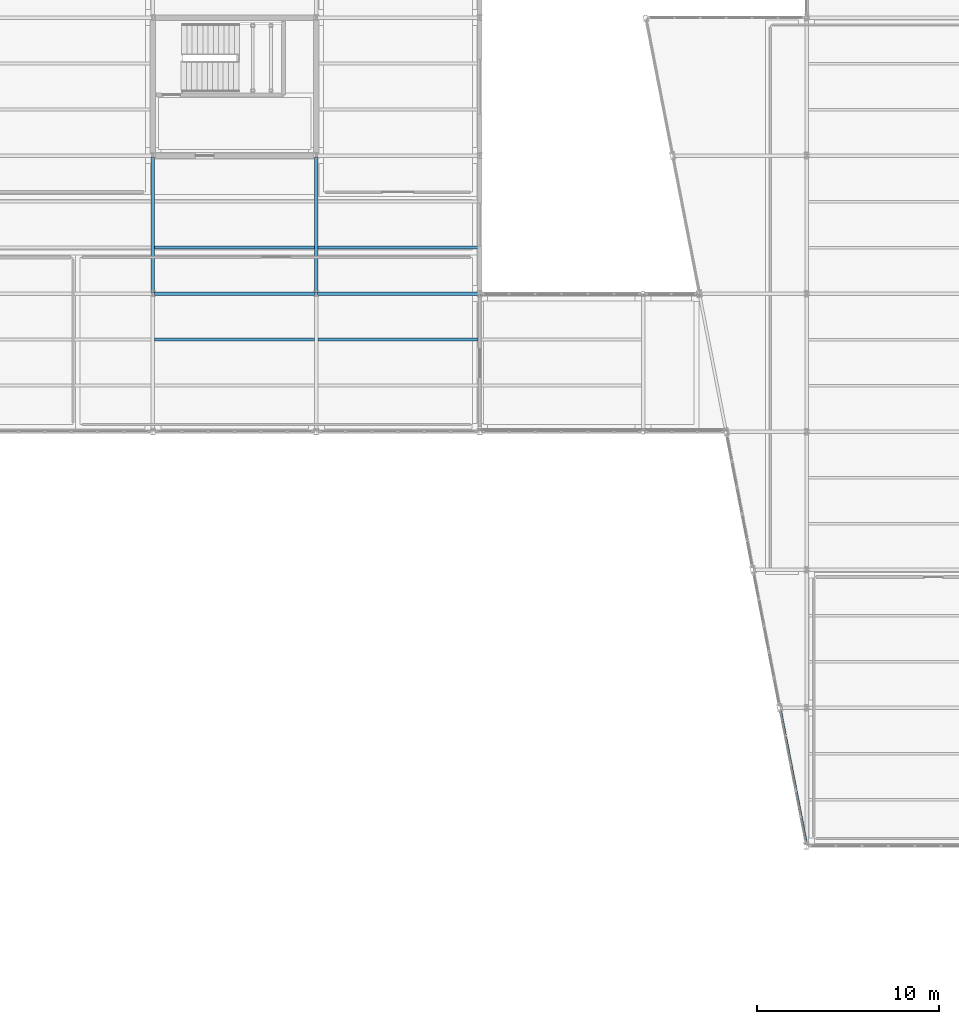
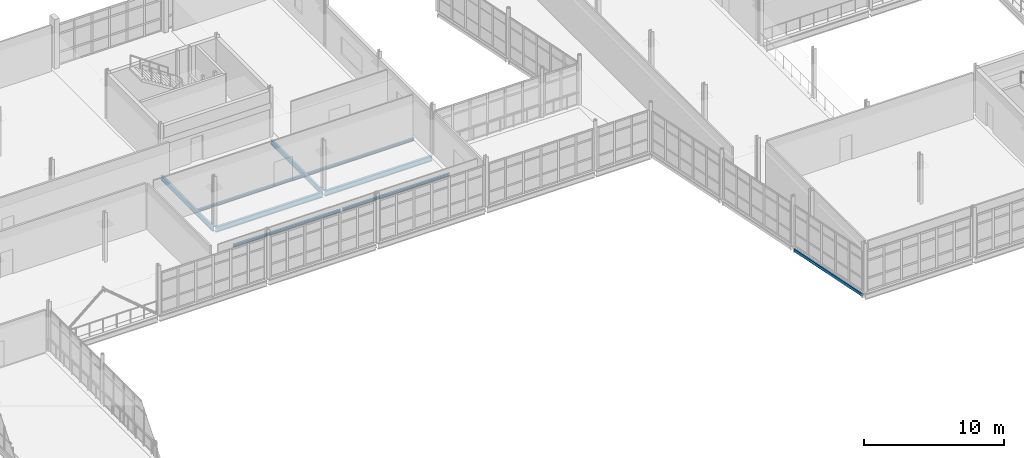
# One storey, part 88 of 174: 9 beams.
"""IFC4 building model written with IfcOpenShell, lengths in metres."""

from ifc_helpers import new_model, si_unit, direction, frame, origin, origin_2d, place, context, subcontext, project, spatial, hollow_rectangle, i_section, extrude, material, material_profile, profile_set, type_object, element, save


model = new_model("IFC4")

# Units and contexts
model_context = context("Model", 3, precision=1e-05, world=origin(), true_north=direction((0.0, 1.0)))
body_context = subcontext(model_context, "Body", "Model", "MODEL_VIEW")
ifc_project = project(units=[si_unit("LENGTHUNIT", "METRE"), si_unit("AREAUNIT", "SQUARE_METRE"), si_unit("VOLUMEUNIT", "CUBIC_METRE"), si_unit("PLANEANGLEUNIT", "RADIAN"), si_unit("MASSUNIT", "GRAM", prefix="KILO")], contexts=[model_context])

# Site, building, storey
site_placement = place(None, origin())
site = spatial("IfcSite", under=ifc_project, at=site_placement, CompositionType="ELEMENT")
building_placement = place(site_placement, origin())
building = spatial("IfcBuilding", under=site, at=building_placement, Name="Caisbarro Railhouse Central Library", CompositionType="ELEMENT")
storey_placement = place(building_placement, frame((0.0, 0.0, 5.0400390625)))
storey = spatial("IfcBuildingStorey", under=building, at=storey_placement, Name="L01", CompositionType="ELEMENT", Elevation=5.0400390625)

# Beams
ifc_material = material(Name="Steel ASTM A572 Grade 50", Category="steel")
ifc_material_profile_1 = material_profile(ifc_material, i_section(OverallWidth=0.18994140625, OverallDepth=0.45703125, WebThickness=0.009033203125, FlangeThickness=0.014404296875, FilletRadius=0.01806640625, at=origin_2d()), Name="W460X74.0")
ifc_profile_set_1 = profile_set([ifc_material_profile_1], Name="Steel ASTM A572 Grade 50")
beam_type_1 = type_object("IfcBeamType", Name="BM-G08", PredefinedType="BEAM", material=ifc_profile_set_1)
for number, where, z_axis, x_axis, name in (
    (1, (81.080078125, 91.199951171875, -0.428466796875), (1.0, 0.0, 0.0), (0.0, 1.0, 0.0), "G08 beam L01 #1167"),
    (2, (90.080078125, 91.199951171875, -0.428466796875), (1.0, 0.0, 0.0), (0.0, 1.0, 0.0), "G08 beam L01 #1168"),
):
    element("IfcBeam", number, at=place(storey_placement, frame(where, z_axis=z_axis, x_axis=x_axis)), inside=storey, type_object=beam_type_1, Name=name, PredefinedType="BEAM", context=body_context, shape_type="SweptSolid", body=[
        extrude(i_section(OverallWidth=0.18994140625, OverallDepth=0.45703125, WebThickness=0.009033203125, FlangeThickness=0.014404296875, FilletRadius=0.01806640625, at=origin_2d()), origin(), (0.0, 0.0, 1.0), 8.83984375),
    ])
ifc_material_profile_2 = material_profile(ifc_material, i_section(OverallWidth=0.177978515625, OverallDepth=0.406982421875, WebThickness=0.0078125, FlangeThickness=0.0126953125, FilletRadius=0.01611328125, at=origin_2d()), Name="W410X60.0")
ifc_profile_set_2 = profile_set([ifc_material_profile_2], Name="Steel ASTM A572 Grade 50")
beam_type_2 = type_object("IfcBeamType", Name="BM-G10", PredefinedType="BEAM", material=ifc_profile_set_2)
for number, where, z_axis, x_axis, name in (
    (3, (81.0, 91.280029296875, -0.403564453125), (0.0, 1.0, 0.0), (-1.0, 0.0, 0.0), "G10 beam L01 #1197"),
    (4, (90.0, 91.280029296875, -0.403564453125), (0.0, 1.0, 0.0), (-1.0, 0.0, 0.0), "G10 beam L01 #1201"),
):
    element("IfcBeam", number, at=place(storey_placement, frame(where, z_axis=z_axis, x_axis=x_axis)), inside=storey, type_object=beam_type_2, Name=name, PredefinedType="BEAM", context=body_context, shape_type="SweptSolid", body=[
        extrude(i_section(OverallWidth=0.177978515625, OverallDepth=0.406982421875, WebThickness=0.0078125, FlangeThickness=0.0126953125, FilletRadius=0.01611328125, at=origin_2d()), origin(), (0.0, 0.0, 1.0), 7.43994140625),
    ])
ifc_material_profile_3 = material_profile(ifc_material, i_section(OverallWidth=0.1650390625, OverallDepth=0.200927734375, WebThickness=0.006103515625, FlangeThickness=0.01025390625, FilletRadius=0.010009765625, at=origin_2d()), Name="W200X35.9")
ifc_profile_set_3 = profile_set([ifc_material_profile_3], Name="Steel ASTM A572 Grade 50")
beam_type_3 = type_object("IfcBeamType", Name="BM-J06", PredefinedType="JOIST", material=ifc_profile_set_3)
for number, where, z_axis, x_axis, name in (
    (5, (81.089111328125, 88.666748046875, -0.300537109375), (1.0, 0.0, 0.0), (0.0, 1.0, 0.0), "J06 beam L01 #1233"),
    (6, (81.089111328125, 93.7333984375, -0.300537109375), (1.0, 0.0, 0.0), (0.0, 1.0, 0.0), "J06 beam L01 #1234"),
    (7, (90.089111328125, 88.666748046875, -0.300537109375), (1.0, 0.0, 0.0), (0.0, 1.0, 0.0), "J06 beam L01 #1239"),
    (8, (90.089111328125, 93.7333984375, -0.300537109375), (1.0, 0.0, 0.0), (0.0, 1.0, 0.0), "J06 beam L01 #1240"),
):
    element("IfcBeam", number, at=place(storey_placement, frame(where, z_axis=z_axis, x_axis=x_axis)), inside=storey, type_object=beam_type_3, Name=name, PredefinedType="JOIST", context=body_context, shape_type="SweptSolid", body=[
        extrude(i_section(OverallWidth=0.1650390625, OverallDepth=0.200927734375, WebThickness=0.006103515625, FlangeThickness=0.01025390625, FilletRadius=0.010009765625, at=origin_2d()), origin(), (0.0, 0.0, 1.0), 8.82177734375),
    ])
ifc_material_profile_4 = material_profile(ifc_material, hollow_rectangle(XDim=0.14990234375, YDim=0.25, WallThickness=0.010009765625, at=origin_2d()), Name="HSS250X150X10")
ifc_profile_set_4 = profile_set([ifc_material_profile_4], Name="Steel ASTM A572 Grade 50")
beam_type_4 = type_object("IfcBeamType", Name="BM-SP03", PredefinedType="SPANDREL", material=ifc_profile_set_4)
beam_placement = place(storey_placement, frame((116.9658203125, 60.976806640625, -0.344970703125), z_axis=(-0.1907899916, 0.981630877217, 0.0), x_axis=(-0.981630877217, -0.1907899916, 0.0)))
element("IfcBeam", 9, at=beam_placement, inside=storey, type_object=beam_type_4, Name="SP03 beam L01 #1265", PredefinedType="SPANDREL", context=body_context, shape_type="SweptSolid", body=[
    extrude(hollow_rectangle(XDim=0.14990234375, YDim=0.25, WallThickness=0.010009765625, at=origin_2d()), origin(), (0.0, 0.0, 1.0), 7.382080078125),
])

save(model, "model.ifc")
